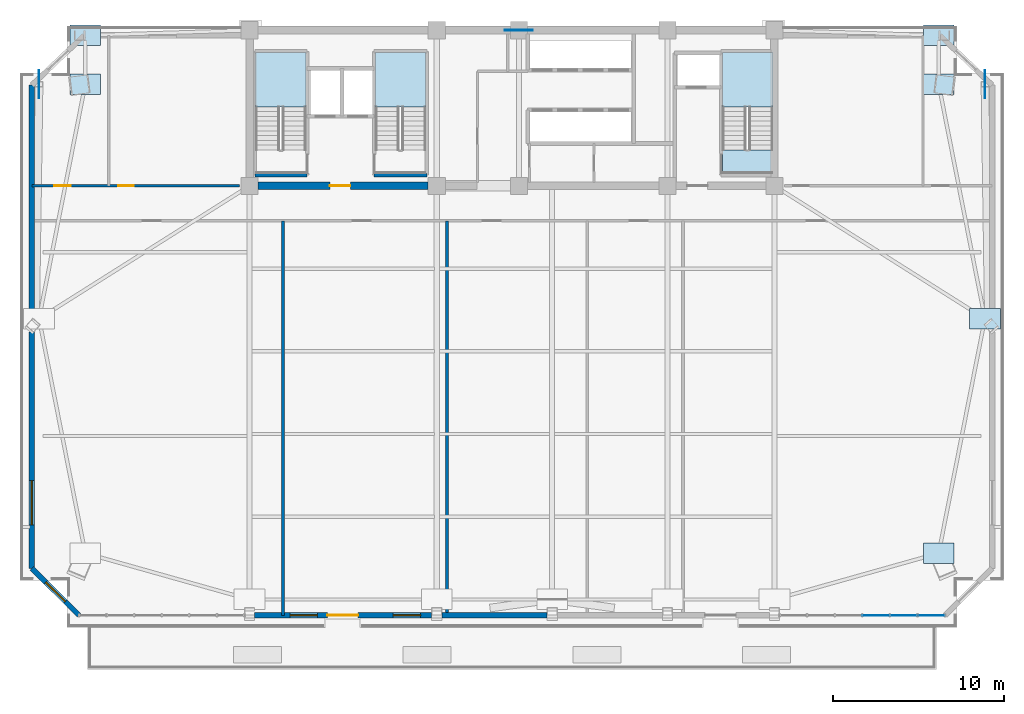
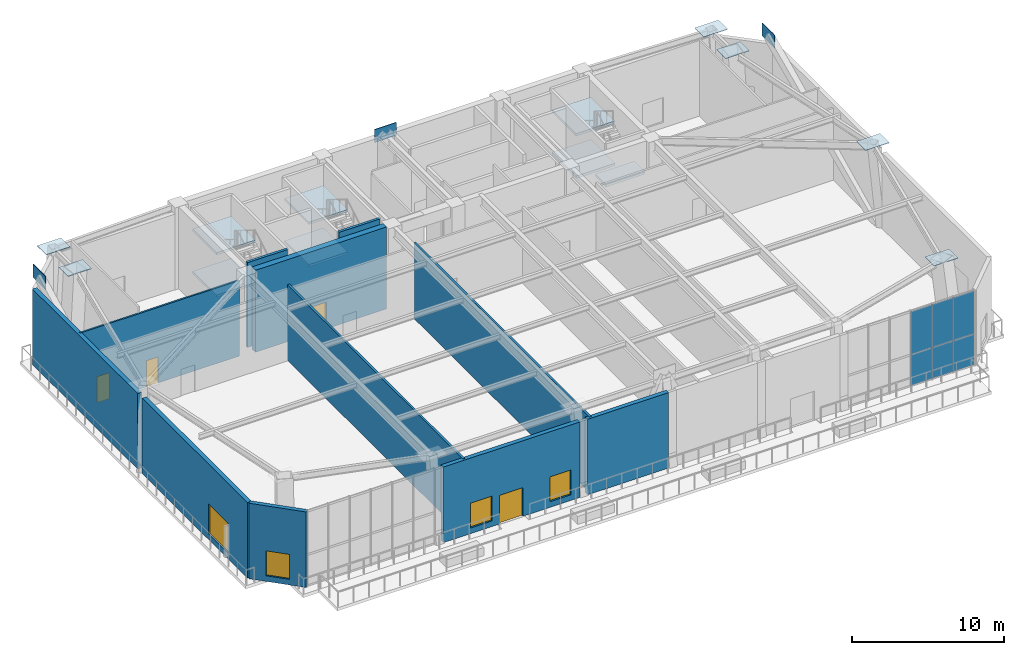
# One storey, part 8 of 16: 15 plates, 11 walls, 7 slabs, 4 doors, 4 windows, 8 openings, 4 elements without a shape of their own.
"""IFC4 building model written with IfcOpenShell, lengths in metres."""

from ifc_helpers import new_model, si_unit, direction, frame, frame_2d, origin, origin_2d, place, context, subcontext, project, spatial, polyline, rectangle, outline, extrude, source, transform, mapped, material, layer, layer_set, type_object, element, fill, aggregate, save


model = new_model("IFC4")

# Units and contexts
model_context = context("Model", 3, precision=1e-05, world=origin(), true_north=direction((0.0, 1.0)))
body_context = subcontext(model_context, "Body", "Model", "MODEL_VIEW")
ifc_project = project(units=[si_unit("LENGTHUNIT", "METRE"), si_unit("AREAUNIT", "SQUARE_METRE"), si_unit("VOLUMEUNIT", "CUBIC_METRE"), si_unit("PLANEANGLEUNIT", "RADIAN"), si_unit("MASSUNIT", "GRAM", prefix="KILO")], contexts=[model_context])

# Site, building, storey
site_placement = place(None, origin())
site = spatial("IfcSite", under=ifc_project, at=site_placement, CompositionType="ELEMENT")
building_placement = place(site_placement, origin())
building = spatial("IfcBuilding", under=site, at=building_placement, Name="Giltprow Tower", CompositionType="ELEMENT")
storey_placement = place(building_placement, frame((0.0, 0.0, 220.199951171875)))
storey = spatial("IfcBuildingStorey", under=building, at=storey_placement, Name="L56", CompositionType="ELEMENT", Elevation=220.199951171875)

# Stair, slabs
ifc_material_1 = material(Name="Concrete C40", Category="concrete")
stair_type_1 = type_object("IfcStairType", Name="STR-ST-1", PredefinedType="HALF_TURN_STAIR", material=ifc_material_1)
stair_1_placement = place(storey_placement, origin())
stair_1 = element("IfcStair", 1, at=stair_1_placement, inside=storey, type_object=stair_type_1, Name="L56 Core Exit Stair ST-1", PredefinedType="HALF_TURN_STAIR")
ifc_layer_1 = layer(ifc_material_1, 0.179931640625, Name="Concrete C40")
ifc_layer_set_1 = layer_set([ifc_layer_1], Name="Concrete C40")
slab_type_1 = type_object("IfcSlabType", Name="SLD-ST-1", PredefinedType="LANDING", material=ifc_layer_set_1)
slab_1_placement = place(storey_placement, frame((0.0, 0.0, 1.52001953125)))
slab_1 = element("IfcSlab", 2, at=slab_1_placement, type_object=slab_type_1, Name="ST-1 landing 1", PredefinedType="LANDING", context=body_context, shape_type="SweptSolid", body=[
    extrude(outline(polyline([(23.159912109375, 42.070068359375), (23.159912109375, 45.25), (20.199951171875, 45.25), (20.199951171875, 42.070068359375), (23.159912109375, 42.070068359375)])), origin(), (0.0, 0.0, 1.0), 0.179931640625),
])
slab_2_placement = place(storey_placement, frame((0.0, 0.0, 4.920166015625)))
slab_2 = element("IfcSlab", 3, at=slab_2_placement, type_object=slab_type_1, Name="ST-1 landing 3", PredefinedType="LANDING", context=body_context, shape_type="SweptSolid", body=[
    extrude(outline(polyline([(23.159912109375, 42.070068359375), (23.159912109375, 45.25), (20.199951171875, 45.25), (20.199951171875, 42.070068359375), (23.159912109375, 42.070068359375)])), origin(), (0.0, 0.0, 1.0), 0.179931640625),
])
aggregate(stair_1, [slab_1, slab_2])

stair_type_2 = type_object("IfcStairType", Name="STR-ST-2", PredefinedType="HALF_TURN_STAIR", material=ifc_material_1)
stair_2_placement = place(storey_placement, origin())
stair_2 = element("IfcStair", 4, at=stair_2_placement, inside=storey, type_object=stair_type_2, Name="L56 Core Exit Stair ST-2", PredefinedType="HALF_TURN_STAIR")
ifc_layer_2 = layer(ifc_material_1, 0.18798828125, Name="Concrete C40")
ifc_layer_set_2 = layer_set([ifc_layer_2], Name="Concrete C40")
slab_type_2 = type_object("IfcSlabType", Name="SLD-ST-2", PredefinedType="LANDING", material=ifc_layer_set_2)
slab_3_placement = place(storey_placement, frame((0.0, 0.0, 1.511962890625)))
slab_3 = element("IfcSlab", 5, at=slab_3_placement, type_object=slab_type_2, Name="ST-2 landing 1", PredefinedType="LANDING", context=body_context, shape_type="SweptSolid", body=[
    extrude(outline(polyline([(30.159912109375, 42.070068359375), (30.159912109375, 45.25), (27.199951171875, 45.25), (27.199951171875, 42.070068359375), (30.159912109375, 42.070068359375)])), origin(), (0.0, 0.0, 1.0), 0.18798828125),
])
slab_4_placement = place(storey_placement, frame((0.0, 0.0, 4.912109375)))
slab_4 = element("IfcSlab", 6, at=slab_4_placement, type_object=slab_type_2, Name="ST-2 landing 3", PredefinedType="LANDING", context=body_context, shape_type="SweptSolid", body=[
    extrude(outline(polyline([(30.159912109375, 42.070068359375), (30.159912109375, 45.25), (27.199951171875, 45.25), (27.199951171875, 42.070068359375), (30.159912109375, 42.070068359375)])), origin(), (0.0, 0.0, 1.0), 0.18798828125),
])
aggregate(stair_2, [slab_3, slab_4])

stair_type_3 = type_object("IfcStairType", Name="STR-ST-3", PredefinedType="HALF_TURN_STAIR", material=ifc_material_1)
stair_3_placement = place(storey_placement, origin())
stair_3 = element("IfcStair", 7, at=stair_3_placement, inside=storey, type_object=stair_type_3, Name="L56 Core Exit Stair ST-3", PredefinedType="HALF_TURN_STAIR")
ifc_layer_3 = layer(ifc_material_1, 0.196044921875, Name="Concrete C40")
ifc_layer_set_3 = layer_set([ifc_layer_3], Name="Concrete C40")
slab_type_3 = type_object("IfcSlabType", Name="SLD-ST-3", PredefinedType="LANDING", material=ifc_layer_set_3)
slab_5_placement = place(storey_placement, frame((0.0, 0.0, 1.504150390625)))
slab_5 = element("IfcSlab", 8, at=slab_5_placement, type_object=slab_type_3, Name="ST-3 landing 1", PredefinedType="LANDING", context=body_context, shape_type="SweptSolid", body=[
    extrude(outline(polyline([(50.4599609375, 42.070068359375), (50.4599609375, 45.25), (47.5, 45.25), (47.5, 42.070068359375), (50.4599609375, 42.070068359375)])), origin(), (0.0, 0.0, 1.0), 0.19580078125),
])
slab_6_placement = place(storey_placement, frame((0.0, 0.0, 3.2041015625)))
slab_6 = element("IfcSlab", 9, at=slab_6_placement, type_object=slab_type_3, Name="ST-3 landing 2", PredefinedType="LANDING", context=body_context, shape_type="SweptSolid", body=[
    extrude(outline(polyline([(50.4599609375, 38.14990234375), (50.4599609375, 39.550048828125), (47.5, 39.550048828125), (47.5, 38.14990234375), (50.4599609375, 38.14990234375)])), origin(), (0.0, 0.0, 1.0), 0.196044921875),
])
slab_7_placement = place(storey_placement, frame((0.0, 0.0, 4.904052734375)))
slab_7 = element("IfcSlab", 10, at=slab_7_placement, type_object=slab_type_3, Name="ST-3 landing 3", PredefinedType="LANDING", context=body_context, shape_type="SweptSolid", body=[
    extrude(outline(polyline([(50.4599609375, 42.070068359375), (50.4599609375, 45.25), (47.5, 45.25), (47.5, 42.070068359375), (50.4599609375, 42.070068359375)])), origin(), (0.0, 0.0, 1.0), 0.196044921875),
])
aggregate(stair_3, [slab_5, slab_6, slab_7])

# Plates
ifc_material_2 = material(Name="Structural steel Q420GJC", Category="steel")
plate_type_1 = type_object("IfcPlateType", Name="PLT-NODE-CKN1", PredefinedType="USERDEFINED", material=ifc_material_2)
shared_shape_1 = source(origin(), body_context, "Body", "SweptSolid", [
    extrude(rectangle(XDim=1.800048828125, YDim=1.199951171875, at=origin_2d()), origin(), (0.0, 0.0, 1.0), 0.044921875),
])
for number, where, z_axis, x_axis, name in (
    (11, (60.159912109375, 15.95703125, 6.54248046875), (0.0, 0.0, 1.0), (1.0, 0.0, 0.0), "CKN1 Column Taper Splice Node L56-MC_SE"),
    (12, (10.239990234375, 43.39306640625, 6.54248046875), (0.0, 0.0, 1.0), (1.0, 0.0, 0.0), "CKN1 Column Taper Splice Node L56-MC_NW"),
    (13, (60.159912109375, 43.39306640625, 6.54248046875), (0.0, 0.0, 1.0), (1.0, 0.0, 0.0), "CKN1 Column Taper Splice Node L56-MC_NE"),
    (14, (62.866943359375, 29.675048828125, 6.54248046875), (0.0, 0.0, 1.0), (1.0, 0.0, 0.0), "CKN1 Column Taper Splice Node L56-E_MID"),
    (15, (10.239990234375, 46.25, 6.54248046875), (0.0, 0.0, 1.0), (1.0, 0.0, 0.0), "CKN1 Column Taper Splice Node L56-N_W"),
    (16, (60.159912109375, 46.25, 6.54248046875), (0.0, 0.0, 1.0), (1.0, 0.0, 0.0), "CKN1 Column Taper Splice Node L56-N_E"),
):
    element("IfcPlate", number, at=place(storey_placement, frame(where, z_axis=z_axis, x_axis=x_axis)), inside=storey, type_object=plate_type_1, Name=name, ObjectType="SPLICE", PredefinedType="USERDEFINED", context=body_context, shape_type="MappedRepresentation", body=[
        mapped(shared_shape_1, transform((0.0, 0.0, 0.0), x_axis=(1.0, 0.0, 0.0), y_axis=(0.0, 1.0, 0.0), z_axis=(0.0, 0.0, 1.0), scale=1.0)),
    ])
plate_type_2 = type_object("IfcPlateType", Name="PLT-NODE-MBN2", PredefinedType="USERDEFINED", material=ifc_material_2)
shared_shape_2 = source(origin(), body_context, "Body", "SweptSolid", [
    extrude(rectangle(XDim=1.64990234375, YDim=0.044921875, at=origin_2d()), origin(), (0.0, 0.0, 1.0), 1.050048828125),
])
for number, where, z_axis, x_axis, name in (
    (17, (35.60009765625, 46.550048828125, 6.13525390625), (0.0, 0.0, 1.0), (1.0, 0.0, 0.0), "Mega-Brace Node L56-N-LB"),
    (18, (7.532958984375, 43.39306640625, 6.27490234375), (0.0, 0.0, 1.0), (0.0, 1.0, 0.0), "Mega-Brace Node L56-W-DB"),
    (19, (62.866943359375, 43.39306640625, 6.27490234375), (0.0, 0.0, 1.0), (0.0, 1.0, 0.0), "Mega-Brace Node L56-E-DB"),
):
    element("IfcPlate", number, at=place(storey_placement, frame(where, z_axis=z_axis, x_axis=x_axis)), inside=storey, type_object=plate_type_2, Name=name, ObjectType="GUSSET", PredefinedType="USERDEFINED", context=body_context, shape_type="MappedRepresentation", body=[
        mapped(shared_shape_2, transform((0.0, 0.0, 0.0), x_axis=(1.0, 0.0, 0.0), y_axis=(0.0, 1.0, 0.0), z_axis=(0.0, 0.0, 1.0), scale=1.0)),
    ])

# Curtain wall, plates
ifc_material_3 = material(Name="Anodized bronze", Category="metal")
ifc_layer_4 = layer(ifc_material_3, 0.179931640625, Name="Anodized bronze")
ifc_layer_set_4 = layer_set([ifc_layer_4], Name="Anodized bronze")
curtain_wall_type = type_object("IfcCurtainWallType", Name="CW-SKYGARDEN", PredefinedType="NOTDEFINED", material=ifc_layer_set_4)
curtain_wall_placement = place(storey_placement, origin())
curtain_wall = element("IfcCurtainWall", 20, at=curtain_wall_placement, inside=storey, type_object=curtain_wall_type, Name="L56 South Recessed Curtain Wall 6", PredefinedType="NOTDEFINED")
ifc_material_4 = material(Name="Insulated glass", Category="glass")
plate_type_3 = type_object("IfcPlateType", Name="CW-PANEL-IGU-28", PredefinedType="CURTAIN_PANEL", material=ifc_material_4)
shared_shape_3 = source(origin(), body_context, "Body", "SweptSolid", [
    extrude(rectangle(XDim=1.5830078125, YDim=0.028076171875, at=origin_2d()), origin(), (0.0, 0.0, 1.0), 2.47900390625),
])
plate_1_placement = place(storey_placement, frame((56.4951171875, 12.318115234375, 0.054443359375), z_axis=(0.0, 0.0, 1.0), x_axis=(1.0, 0.0, 0.0)))
plate_1 = element("IfcPlate", 21, at=plate_1_placement, type_object=plate_type_3, Name="L56 South Recessed Curtain Wall 6 Glazing Panel 4-1", PredefinedType="CURTAIN_PANEL", context=body_context, shape_type="MappedRepresentation", body=[
    mapped(shared_shape_3, transform((0.0, 0.0, 0.0), x_axis=(1.0, 0.0, 0.0), y_axis=(0.0, 1.0, 0.0), z_axis=(0.0, 0.0, 1.0), scale=1.0)),
])
plate_2_placement = place(storey_placement, frame((58.10791015625, 12.318115234375, 0.054443359375), z_axis=(0.0, 0.0, 1.0), x_axis=(1.0, 0.0, 0.0)))
plate_2 = element("IfcPlate", 22, at=plate_2_placement, type_object=plate_type_3, Name="L56 South Recessed Curtain Wall 6 Glazing Panel 5-1", PredefinedType="CURTAIN_PANEL", context=body_context, shape_type="MappedRepresentation", body=[
    mapped(shared_shape_3, transform((0.0, 0.0, 0.0), x_axis=(1.0, 0.0, 0.0), y_axis=(0.0, 1.0, 0.0), z_axis=(0.0, 0.0, 1.0), scale=1.0)),
])
plate_3_placement = place(storey_placement, frame((59.720947265625, 12.318115234375, 0.054443359375), z_axis=(0.0, 0.0, 1.0), x_axis=(1.0, 0.0, 0.0)))
plate_3 = element("IfcPlate", 23, at=plate_3_placement, type_object=plate_type_3, Name="L56 South Recessed Curtain Wall 6 Glazing Panel 6-1", PredefinedType="CURTAIN_PANEL", context=body_context, shape_type="MappedRepresentation", body=[
    mapped(shared_shape_3, transform((0.0, 0.0, 0.0), x_axis=(1.0, 0.0, 0.0), y_axis=(0.0, 1.0, 0.0), z_axis=(0.0, 0.0, 1.0), scale=1.0)),
])
shared_shape_4 = source(origin(), body_context, "Body", "SweptSolid", [
    extrude(rectangle(XDim=1.5830078125, YDim=0.028076171875, at=origin_2d()), origin(), (0.0, 0.0, 1.0), 3.449951171875),
])
plate_4_placement = place(storey_placement, frame((56.4951171875, 12.318115234375, 2.56103515625), z_axis=(0.0, 0.0, 1.0), x_axis=(1.0, 0.0, 0.0)))
plate_4 = element("IfcPlate", 24, at=plate_4_placement, type_object=plate_type_3, Name="L56 South Recessed Curtain Wall 6 Glazing Panel 4-2", PredefinedType="CURTAIN_PANEL", context=body_context, shape_type="MappedRepresentation", body=[
    mapped(shared_shape_4, transform((0.0, 0.0, 0.0), x_axis=(1.0, 0.0, 0.0), y_axis=(0.0, 1.0, 0.0), z_axis=(0.0, 0.0, 1.0), scale=1.0)),
])
plate_5_placement = place(storey_placement, frame((58.10791015625, 12.318115234375, 2.56103515625), z_axis=(0.0, 0.0, 1.0), x_axis=(1.0, 0.0, 0.0)))
plate_5 = element("IfcPlate", 25, at=plate_5_placement, type_object=plate_type_3, Name="L56 South Recessed Curtain Wall 6 Glazing Panel 5-2", PredefinedType="CURTAIN_PANEL", context=body_context, shape_type="MappedRepresentation", body=[
    mapped(shared_shape_4, transform((0.0, 0.0, 0.0), x_axis=(1.0, 0.0, 0.0), y_axis=(0.0, 1.0, 0.0), z_axis=(0.0, 0.0, 1.0), scale=1.0)),
])
plate_6_placement = place(storey_placement, frame((59.720947265625, 12.318115234375, 2.56103515625), z_axis=(0.0, 0.0, 1.0), x_axis=(1.0, 0.0, 0.0)))
plate_6 = element("IfcPlate", 26, at=plate_6_placement, type_object=plate_type_3, Name="L56 South Recessed Curtain Wall 6 Glazing Panel 6-2", PredefinedType="CURTAIN_PANEL", context=body_context, shape_type="MappedRepresentation", body=[
    mapped(shared_shape_4, transform((0.0, 0.0, 0.0), x_axis=(1.0, 0.0, 0.0), y_axis=(0.0, 1.0, 0.0), z_axis=(0.0, 0.0, 1.0), scale=1.0)),
])
aggregate(curtain_wall, [plate_1, plate_4, plate_2, plate_5, plate_3, plate_6])

# Wall, opening, window
ifc_material_5 = material(Name="Precast concrete C40", Category="concrete")
ifc_layer_5 = layer(ifc_material_5, 0.300048828125, Name="Precast concrete C40")
ifc_layer_set_5 = layer_set([ifc_layer_5], Name="Precast concrete C40")
wall_type_1 = type_object("IfcWallType", Name="EW-NOTCH-CHAMFER-300", PredefinedType="SOLIDWALL", material=ifc_layer_set_5)
wall_1_placement = place(storey_placement, frame((7.117919921875, 15.072021484375, 0.0), z_axis=(0.0, 0.0, 1.0), x_axis=(0.707138122488, -0.707075438496, 0.0)))
wall_1 = element("IfcWall", 27, at=wall_1_placement, inside=storey, type_object=wall_type_1, Name="L56 Corner Notch Wall SW", PredefinedType="SOLIDWALL", context=body_context, shape_type="SweptSolid", body=[
    extrude(rectangle(XDim=3.894775390625, YDim=0.300048828125, at=frame_2d((1.947265625, 0.0))), origin(), (0.0, 0.0, 1.0), 6.06494140625),
])
opening_1_placement = place(wall_1_placement, frame((1.14697265625, 0.0, 0.449951171875)))
opening_1 = element("IfcOpeningElement", 28, at=opening_1_placement, cuts=wall_1, Name="Opening WN17", PredefinedType="OPENING", context=body_context, shape_type="SweptSolid", body=[
    extrude(rectangle(XDim=1.60009765625, YDim=2.0, at=frame_2d((0.800048828125, 1.0))), frame((0.0, 0.159912109375, 0.0), z_axis=(0.0, -1.0, 0.0), x_axis=(1.0, 0.0, 0.0)), (0.0, 0.0, 1.0), 0.320068359375),
])
window_type_1 = type_object("IfcWindowType", Name="WN-COR-1600x2000", PartitioningType="SINGLE_PANEL", PredefinedType="WINDOW", material=ifc_material_4)
shared_shape_5 = source(origin(), body_context, "Body", "SweptSolid", [
    extrude(rectangle(XDim=1.60009765625, YDim=2.0, at=frame_2d((0.800048828125, 1.0))), frame((0.0, 0.030029296875, 0.0), z_axis=(0.0, -1.0, 0.0), x_axis=(1.0, 0.0, 0.0)), (0.0, 0.0, 1.0), 0.06005859375),
])
window_1_placement = place(opening_1_placement, origin())
window_1 = element("IfcWindow", 29, at=window_1_placement, inside=storey, type_object=window_type_1, Name="L56 Corner Notch Window SW", OverallHeight=2.0, OverallWidth=1.60009765625, PartitioningType="SINGLE_PANEL", PredefinedType="WINDOW", context=body_context, shape_type="MappedRepresentation", body=[
    mapped(shared_shape_5, transform((0.0, 0.0, 0.0), x_axis=(1.0, 0.0, 0.0), y_axis=(0.0, 1.0, 0.0), z_axis=(0.0, 0.0, 1.0), scale=1.0)),
])
fill(opening_1, window_1)

# Wall, openings, door, windows
ifc_layer_6 = layer(ifc_material_5, 0.320068359375, Name="Precast concrete C40")
ifc_layer_set_6 = layer_set([ifc_layer_6], Name="Precast concrete C40")
wall_type_2 = type_object("IfcWallType", Name="EW-TOW-STONE-320", PredefinedType="SOLIDWALL", material=ifc_layer_set_6)
wall_2_placement = place(storey_placement, frame((20.14990234375, 12.318115234375, 0.0), z_axis=(0.0, 0.0, 1.0), x_axis=(1.0, 0.0, 0.0)))
wall_2 = element("IfcWall", 30, at=wall_2_placement, inside=storey, type_object=wall_type_2, Name="L56 South Expressed Frame Wall 2", PredefinedType="SOLIDWALL", context=body_context, shape_type="SweptSolid", body=[
    extrude(rectangle(XDim=10.35009765625, YDim=0.320068359375, at=frame_2d((5.175048828125, 0.0))), origin(), (0.0, 0.0, 1.0), 6.06494140625),
])
opening_2_placement = place(wall_2_placement, frame((4.25, 0.0, 0.0)))
opening_2 = element("IfcOpeningElement", 31, at=opening_2_placement, cuts=wall_2, Name="Opening ED15", PredefinedType="OPENING", context=body_context, shape_type="SweptSolid", body=[
    extrude(rectangle(XDim=1.800048828125, YDim=2.300048828125, at=frame_2d((0.89990234375, 1.14990234375))), frame((0.0, 0.169921875, 0.0), z_axis=(0.0, -1.0, 0.0), x_axis=(1.0, 0.0, 0.0)), (0.0, 0.0, 1.0), 0.340087890625),
])
opening_3_placement = place(wall_2_placement, frame((2.070068359375, 0.0, 0.449951171875)))
opening_3 = element("IfcOpeningElement", 32, at=opening_3_placement, cuts=wall_2, Name="Opening WN17", PredefinedType="OPENING", context=body_context, shape_type="SweptSolid", body=[
    extrude(rectangle(XDim=1.60009765625, YDim=2.0, at=frame_2d((0.800048828125, 1.0))), frame((0.0, 0.169921875, 0.0), z_axis=(0.0, -1.0, 0.0), x_axis=(1.0, 0.0, 0.0)), (0.0, 0.0, 1.0), 0.340087890625),
])
opening_4_placement = place(wall_2_placement, frame((8.10009765625, 0.0, 0.449951171875)))
opening_4 = element("IfcOpeningElement", 33, at=opening_4_placement, cuts=wall_2, Name="Opening WN17", PredefinedType="OPENING", context=body_context, shape_type="SweptSolid", body=[
    extrude(rectangle(XDim=1.60009765625, YDim=2.0, at=frame_2d((0.800048828125, 1.0))), frame((0.0, 0.169921875, 0.0), z_axis=(0.0, -1.0, 0.0), x_axis=(1.0, 0.0, 0.0)), (0.0, 0.0, 1.0), 0.340087890625),
])
ifc_material_6 = material(Name="Anodized bronze and glass", Category="glass")
door_type_1 = type_object("IfcDoorType", Name="DR-TERR-SWING-1800", OperationType="DOUBLE_SWING_LEFT", PredefinedType="DOOR", material=ifc_material_6)
shared_shape_6 = source(origin(), body_context, "Body", "SweptSolid", [
    extrude(rectangle(XDim=1.800048828125, YDim=2.300048828125, at=frame_2d((0.89990234375, 1.14990234375))), frame((0.0, 0.02490234375, 0.0), z_axis=(0.0, -1.0, 0.0), x_axis=(1.0, 0.0, 0.0)), (0.0, 0.0, 1.0), 0.050048828125),
])
door_1_placement = place(opening_2_placement, origin())
door_1 = element("IfcDoor", 34, at=door_1_placement, inside=storey, type_object=door_type_1, Name="L56 Sky Garden Terrace Door 1", OperationType="DOUBLE_SWING_LEFT", OverallHeight=2.300048828125, OverallWidth=1.800048828125, PredefinedType="DOOR", context=body_context, shape_type="MappedRepresentation", body=[
    mapped(shared_shape_6, transform((0.0, 0.0, 0.0), x_axis=(1.0, 0.0, 0.0), y_axis=(0.0, 1.0, 0.0), z_axis=(0.0, 0.0, 1.0), scale=1.0)),
])
fill(opening_2, door_1)
window_2_placement = place(opening_3_placement, origin())
window_2 = element("IfcWindow", 35, at=window_2_placement, inside=storey, type_object=window_type_1, Name="L56 Sky Garden Window 1", OverallHeight=2.0, OverallWidth=1.60009765625, PartitioningType="SINGLE_PANEL", PredefinedType="WINDOW", context=body_context, shape_type="MappedRepresentation", body=[
    mapped(shared_shape_5, transform((0.0, 0.0, 0.0), x_axis=(1.0, 0.0, 0.0), y_axis=(0.0, 1.0, 0.0), z_axis=(0.0, 0.0, 1.0), scale=1.0)),
])
fill(opening_3, window_2)
window_3_placement = place(opening_4_placement, origin())
window_3 = element("IfcWindow", 36, at=window_3_placement, inside=storey, type_object=window_type_1, Name="L56 Sky Garden Window 2", OverallHeight=2.0, OverallWidth=1.60009765625, PartitioningType="SINGLE_PANEL", PredefinedType="WINDOW", context=body_context, shape_type="MappedRepresentation", body=[
    mapped(shared_shape_5, transform((0.0, 0.0, 0.0), x_axis=(1.0, 0.0, 0.0), y_axis=(0.0, 1.0, 0.0), z_axis=(0.0, 0.0, 1.0), scale=1.0)),
])
fill(opening_4, window_3)

# Wall
wall_3_placement = place(storey_placement, frame((31.10009765625, 12.318115234375, 0.0), z_axis=(0.0, 0.0, 1.0), x_axis=(1.0, 0.0, 0.0)))
element("IfcWall", 37, at=wall_3_placement, inside=storey, type_object=wall_type_2, Name="L56 South Expressed Frame Wall 3", PredefinedType="SOLIDWALL", context=body_context, shape_type="SweptSolid", body=[
    extrude(rectangle(XDim=6.14990234375, YDim=0.320068359375, at=frame_2d((3.074951171875, 0.0))), origin(), (0.0, 0.0, 1.0), 6.06494140625),
])

# Wall, opening, window
wall_4_placement = place(storey_placement, frame((7.117919921875, 15.072021484375, 0.0), z_axis=(0.0, 0.0, 1.0), x_axis=(0.0, 1.0, 0.0)))
wall_4 = element("IfcWall", 38, at=wall_4_placement, inside=storey, type_object=wall_type_2, Name="L56 W Wing Masonry Wall 1", PredefinedType="SOLIDWALL", context=body_context, shape_type="SweptSolid", body=[
    extrude(rectangle(XDim=13.8369140625, YDim=0.320068359375, at=frame_2d((6.91845703125, 0.0))), origin(), (0.0, 0.0, 1.0), 6.06494140625),
])
opening_5_placement = place(wall_4_placement, frame((2.5380859375, 0.0, 0.449951171875)))
opening_5 = element("IfcOpeningElement", 39, at=opening_5_placement, cuts=wall_4, Name="Opening WN19", PredefinedType="OPENING", context=body_context, shape_type="SweptSolid", body=[
    extrude(rectangle(XDim=2.60009765625, YDim=2.39990234375, at=frame_2d((1.300048828125, 1.199951171875))), frame((0.0, 0.169921875, 0.0), z_axis=(0.0, -1.0, 0.0), x_axis=(1.0, 0.0, 0.0)), (0.0, 0.0, 1.0), 0.340087890625),
])
window_type_2 = type_object("IfcWindowType", Name="WN-OBS-2600x2400", PartitioningType="DOUBLE_PANEL_VERTICAL", PredefinedType="WINDOW", material=ifc_material_4)
shared_shape_7 = source(origin(), body_context, "Body", "SweptSolid", [
    extrude(rectangle(XDim=2.60009765625, YDim=2.39990234375, at=frame_2d((1.300048828125, 1.199951171875))), frame((0.0, 0.030029296875, 0.0), z_axis=(0.0, -1.0, 0.0), x_axis=(1.0, 0.0, 0.0)), (0.0, 0.0, 1.0), 0.06005859375),
])
window_4_placement = place(opening_5_placement, origin())
window_4 = element("IfcWindow", 40, at=window_4_placement, inside=storey, type_object=window_type_2, Name="L56 W Wing Window 1-1A", OverallHeight=2.39990234375, OverallWidth=2.60009765625, PartitioningType="SINGLE_PANEL", PredefinedType="WINDOW", context=body_context, shape_type="MappedRepresentation", body=[
    mapped(shared_shape_7, transform((0.0, 0.0, 0.0), x_axis=(1.0, 0.0, 0.0), y_axis=(0.0, 1.0, 0.0), z_axis=(0.0, 0.0, 1.0), scale=1.0)),
])
fill(opening_5, window_4)

# Walls
wall_5_placement = place(storey_placement, frame((7.117919921875, 29.509033203125, 0.0), z_axis=(0.0, 0.0, 1.0), x_axis=(0.0, 1.0, 0.0)))
element("IfcWall", 41, at=wall_5_placement, inside=storey, type_object=wall_type_2, Name="L56 W Wing Masonry Wall 2", PredefinedType="SOLIDWALL", context=body_context, shape_type="SweptSolid", body=[
    extrude(rectangle(XDim=13.8369140625, YDim=0.320068359375, at=frame_2d((6.91845703125, 0.0))), origin(), (0.0, 0.0, 1.0), 6.06494140625),
])
ifc_material_7 = material(Name="Gypsum stud partition", Category="gypsum")
ifc_layer_7 = layer(ifc_material_7, 0.159912109375, Name="Gypsum stud partition")
ifc_layer_set_7 = layer_set([ifc_layer_7], Name="Gypsum stud partition")
wall_type_3 = type_object("IfcWallType", Name="IW-DEMISE-160", PredefinedType="PARTITIONING", material=ifc_layer_set_7)
for number, where, z_axis, x_axis, name in (
    (42, (21.800048828125, 12.318115234375, 0.0), (0.0, 0.0, 1.0), (0.0, 1.0, 0.0), "L56 Sky Lobby Partition 1"),
    (43, (31.39990234375, 12.318115234375, 0.0), (0.0, 0.0, 1.0), (0.0, 1.0, 0.0), "L56 Sky Lobby Partition 2"),
):
    element("IfcWall", number, at=place(storey_placement, frame(where, z_axis=z_axis, x_axis=x_axis)), inside=storey, type_object=wall_type_3, Name=name, PredefinedType="PARTITIONING", context=body_context, shape_type="SweptSolid", body=[
        extrude(rectangle(XDim=23.081787109375, YDim=0.159912109375, at=frame_2d((11.541015625, 0.0))), origin(), (0.0, 0.0, 1.0), 6.070068359375),
    ])
ifc_layer_8 = layer(ifc_material_1, 0.199951171875, Name="Concrete C40")
ifc_layer_set_8 = layer_set([ifc_layer_8], Name="Concrete C40")
wall_type_4 = type_object("IfcWallType", Name="IW-STAIR-200", PredefinedType="SOLIDWALL", material=ifc_layer_set_8)
wall_6_placement = place(storey_placement, frame((20.169921875, 38.070068359375, 0.0), z_axis=(0.0, 0.0, 1.0), x_axis=(1.0, 0.0, 0.0)))
element("IfcWall", 44, at=wall_6_placement, inside=storey, type_object=wall_type_4, Name="L56 Stair ST-1 South Bearing Wall", PredefinedType="SOLIDWALL", context=body_context, shape_type="SweptSolid", body=[
    extrude(rectangle(XDim=3.050048828125, YDim=0.199951171875, at=frame_2d((1.52490234375, 0.0))), origin(), (0.0, 0.0, 1.0), 6.800048828125),
])
wall_7_placement = place(storey_placement, frame((27.139892578125, 38.070068359375, 0.0), z_axis=(0.0, 0.0, 1.0), x_axis=(1.0, 0.0, 0.0)))
element("IfcWall", 45, at=wall_7_placement, inside=storey, type_object=wall_type_4, Name="L56 Stair ST-2 South Bearing Wall", PredefinedType="SOLIDWALL", context=body_context, shape_type="SweptSolid", body=[
    extrude(rectangle(XDim=3.080078125, YDim=0.199951171875, at=frame_2d((1.5400390625, 0.0))), origin(), (0.0, 0.0, 1.0), 6.800048828125),
])

# Wall, openings, doors
ifc_material_8 = material(Name="Concrete C30", Category="concrete")
ifc_layer_9 = layer(ifc_material_8, 0.1298828125, Name="Concrete C30")
ifc_layer_set_9 = layer_set([ifc_layer_9], Name="Concrete C30")
wall_type_5 = type_object("IfcWallType", Name="IW-WET-130", PredefinedType="PARTITIONING", material=ifc_layer_set_9)
wall_8_placement = place(storey_placement, frame((7.117919921875, 37.449951171875, 0.0), z_axis=(0.0, 0.0, 1.0), x_axis=(1.0, 0.0, 0.0)))
wall_8 = element("IfcWall", 46, at=wall_8_placement, inside=storey, type_object=wall_type_5, Name="L56 NW Wing South Wall", PredefinedType="PARTITIONING", context=body_context, shape_type="SweptSolid", body=[
    extrude(rectangle(XDim=12.132080078125, YDim=0.1298828125, at=frame_2d((6.06591796875, 0.0))), origin(), (0.0, 0.0, 1.0), 6.070068359375),
])
opening_6_placement = place(wall_8_placement, frame((1.31494140625, 0.0, 0.0)))
opening_6 = element("IfcOpeningElement", 47, at=opening_6_placement, cuts=wall_8, Name="Opening ID11", PredefinedType="OPENING", context=body_context, shape_type="SweptSolid", body=[
    extrude(rectangle(XDim=0.949951171875, YDim=2.10009765625, at=frame_2d((0.47509765625, 1.050048828125))), frame((0.0, 0.074951171875, 0.0), z_axis=(0.0, -1.0, 0.0), x_axis=(1.0, 0.0, 0.0)), (0.0, 0.0, 1.0), 0.14990234375),
])
opening_7_placement = place(wall_8_placement, frame((5.047119140625, 0.0, 0.0)))
opening_7 = element("IfcOpeningElement", 48, at=opening_7_placement, cuts=wall_8, Name="Opening ID15", PredefinedType="OPENING", context=body_context, shape_type="SweptSolid", body=[
    extrude(rectangle(XDim=0.89990234375, YDim=2.10009765625, at=frame_2d((0.449951171875, 1.050048828125))), frame((0.0, 0.074951171875, 0.0), z_axis=(0.0, -1.0, 0.0), x_axis=(1.0, 0.0, 0.0)), (0.0, 0.0, 1.0), 0.14990234375),
])
ifc_material_9 = material(Name="Engineered timber", Category="wood")
door_type_2 = type_object("IfcDoorType", Name="DR-WC-900", OperationType="SINGLE_SWING_LEFT", PredefinedType="DOOR", material=ifc_material_9)
shared_shape_8 = source(origin(), body_context, "Body", "SweptSolid", [
    extrude(rectangle(XDim=0.89990234375, YDim=2.10009765625, at=frame_2d((0.449951171875, 1.050048828125))), frame((0.0, 0.02490234375, 0.0), z_axis=(0.0, -1.0, 0.0), x_axis=(1.0, 0.0, 0.0)), (0.0, 0.0, 1.0), 0.050048828125),
])
door_2_placement = place(opening_7_placement, origin())
door_2 = element("IfcDoor", 49, at=door_2_placement, inside=storey, type_object=door_type_2, Name="L56 NW Washroom Door", OperationType="SINGLE_SWING_RIGHT", OverallHeight=2.10009765625, OverallWidth=0.89990234375, PredefinedType="DOOR", context=body_context, shape_type="MappedRepresentation", body=[
    mapped(shared_shape_8, transform((0.0, 0.0, 0.0), x_axis=(1.0, 0.0, 0.0), y_axis=(0.0, 1.0, 0.0), z_axis=(0.0, 0.0, 1.0), scale=1.0)),
])
fill(opening_7, door_2)
door_type_3 = type_object("IfcDoorType", Name="DR-ROOM-950", OperationType="SINGLE_SWING_RIGHT", PredefinedType="DOOR", material=ifc_material_9)
shared_shape_9 = source(origin(), body_context, "Body", "SweptSolid", [
    extrude(rectangle(XDim=0.949951171875, YDim=2.10009765625, at=frame_2d((0.47509765625, 1.050048828125))), frame((0.0, 0.02490234375, 0.0), z_axis=(0.0, -1.0, 0.0), x_axis=(1.0, 0.0, 0.0)), (0.0, 0.0, 1.0), 0.050048828125),
])
door_3_placement = place(opening_6_placement, origin())
door_3 = element("IfcDoor", 50, at=door_3_placement, inside=storey, type_object=door_type_3, Name="L56 Sky Garden Cloakroom Store West Door", OperationType="SINGLE_SWING_LEFT", OverallHeight=2.10009765625, OverallWidth=0.949951171875, PredefinedType="DOOR", context=body_context, shape_type="MappedRepresentation", body=[
    mapped(shared_shape_9, transform((0.0, 0.0, 0.0), x_axis=(1.0, 0.0, 0.0), y_axis=(0.0, 1.0, 0.0), z_axis=(0.0, 0.0, 1.0), scale=1.0)),
])
fill(opening_6, door_3)

# Wall, opening, door
ifc_material_10 = material(Name="Concrete C50", Category="concrete")
ifc_layer_10 = layer(ifc_material_10, 0.449951171875, Name="Concrete C50")
ifc_layer_set_10 = layer_set([ifc_layer_10], Name="Concrete C50")
wall_type_6 = type_object("IfcWallType", Name="SW-INT-450-C50", PredefinedType="SHEAR", material=ifc_layer_set_10)
wall_9_placement = place(storey_placement, frame((20.35009765625, 37.449951171875, 0.0), z_axis=(0.0, 0.0, 1.0), x_axis=(1.0, 0.0, 0.0)))
wall_9 = element("IfcWall", 51, at=wall_9_placement, inside=storey, type_object=wall_type_6, Name="L56 South Rear Core Shear Wall West", PredefinedType="SHEAR", context=body_context, shape_type="SweptSolid", body=[
    extrude(rectangle(XDim=9.949951171875, YDim=0.449951171875, at=frame_2d((4.97509765625, 0.0))), origin(), (0.0, 0.0, 1.0), 6.5849609375),
])
opening_8_placement = place(wall_9_placement, frame((4.199951171875, 0.0, 0.0)))
opening_8 = element("IfcOpeningElement", 52, at=opening_8_placement, cuts=wall_9, Name="Opening ID19", PredefinedType="OPENING", context=body_context, shape_type="SweptSolid", body=[
    extrude(rectangle(XDim=1.199951171875, YDim=2.14990234375, at=frame_2d((0.60009765625, 1.074951171875))), frame((0.0, 0.23486328125, 0.0), z_axis=(0.0, -1.0, 0.0), x_axis=(1.0, 0.0, 0.0)), (0.0, 0.0, 1.0), 0.469970703125),
])
ifc_material_11 = material(Name="Steel fire leaf", Category="steel")
door_type_4 = type_object("IfcDoorType", Name="DR-FFLOBBY-1200", OperationType="SINGLE_SWING_RIGHT", PredefinedType="DOOR", material=ifc_material_11)
shared_shape_10 = source(origin(), body_context, "Body", "SweptSolid", [
    extrude(rectangle(XDim=1.199951171875, YDim=2.14990234375, at=frame_2d((0.60009765625, 1.074951171875))), frame((0.0, 0.02490234375, 0.0), z_axis=(0.0, -1.0, 0.0), x_axis=(1.0, 0.0, 0.0)), (0.0, 0.0, 1.0), 0.050048828125),
])
door_4_placement = place(opening_8_placement, origin())
door_4 = element("IfcDoor", 53, at=door_4_placement, inside=storey, type_object=door_type_4, Name="L56 West Firefighting Lobby Entry Door", OperationType="SINGLE_SWING_LEFT", OverallHeight=2.14990234375, OverallWidth=1.199951171875, PredefinedType="DOOR", context=body_context, shape_type="MappedRepresentation", body=[
    mapped(shared_shape_10, transform((0.0, 0.0, 0.0), x_axis=(1.0, 0.0, 0.0), y_axis=(0.0, 1.0, 0.0), z_axis=(0.0, 0.0, 1.0), scale=1.0)),
])
fill(opening_8, door_4)

save(model, "model.ifc")
